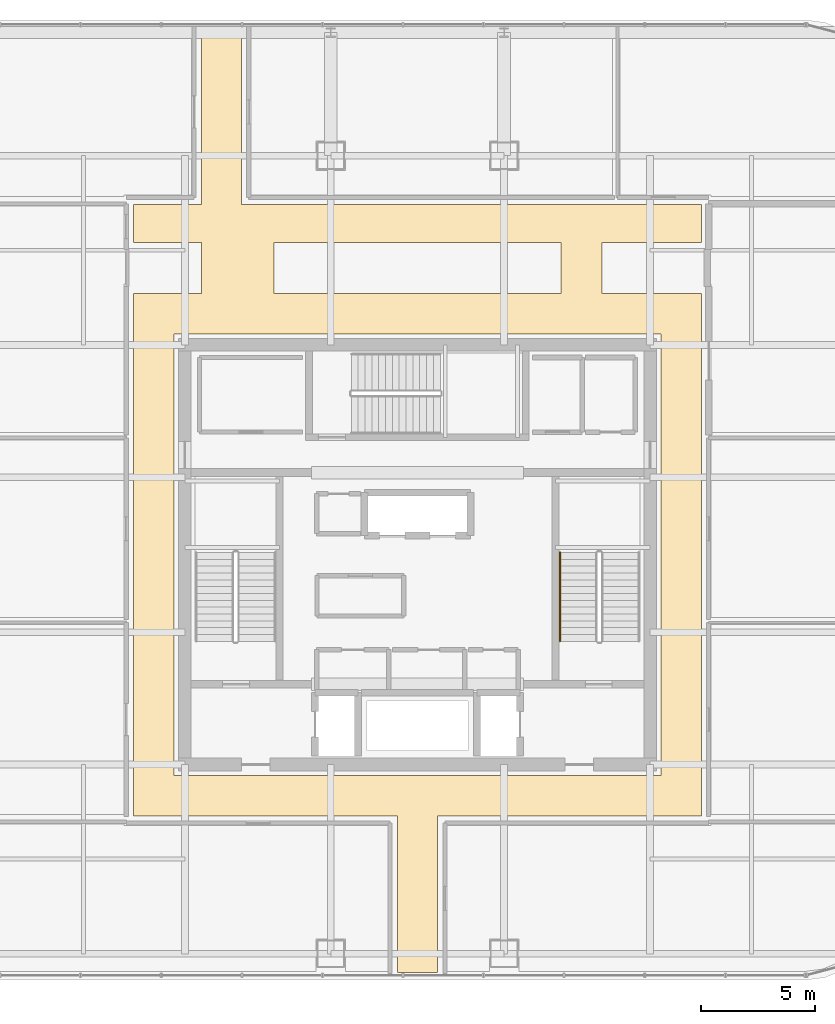
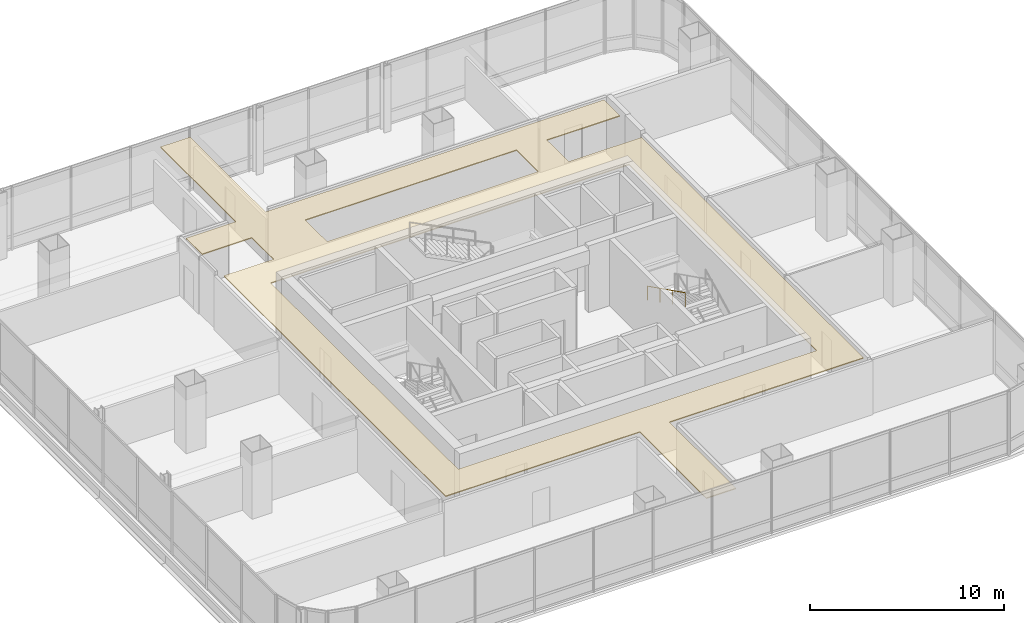
# One storey, part 39 of 41: 1 covering, 1 railing.
"""IFC4 building model written with IfcOpenShell, lengths in metres."""

from ifc_helpers import new_model, si_unit, direction, frame, origin, origin_2d, place, context, subcontext, project, spatial, polyline, circle, outline, extrude, material, layer, layer_set, type_object, element, save


model = new_model("IFC4")

# Units and contexts
model_context = context("Model", 3, precision=1e-05, world=origin(), true_north=direction((0.0, 1.0)))
body_context = subcontext(model_context, "Body", "Model", "MODEL_VIEW")
ifc_project = project(units=[si_unit("LENGTHUNIT", "METRE"), si_unit("AREAUNIT", "SQUARE_METRE"), si_unit("VOLUMEUNIT", "CUBIC_METRE"), si_unit("PLANEANGLEUNIT", "RADIAN"), si_unit("MASSUNIT", "GRAM", prefix="KILO")], contexts=[model_context])

# Site, building, storey
site_placement = place(None, origin())
site = spatial("IfcSite", under=ifc_project, at=site_placement, CompositionType="ELEMENT")
building_placement = place(site_placement, origin())
building = spatial("IfcBuilding", under=site, at=building_placement, Name="Punatoya Terracotta Tower", CompositionType="ELEMENT")
storey_placement = place(building_placement, frame((0.0, 0.0, 292.199951171875)))
storey = spatial("IfcBuildingStorey", under=building, at=storey_placement, Name="L69", CompositionType="ELEMENT", Elevation=292.199951171875)

# Covering
ifc_material_1 = material(Name="Acoustic Mineral Fibre Ceiling")
ifc_layer = layer(ifc_material_1, 0.06005859375)
ifc_layer_set = layer_set([ifc_layer], Name="Acoustic Mineral Fibre Ceiling")
covering_type = type_object("IfcCoveringType", Name="COV-CEIL-60", PredefinedType="CEILING", material=ifc_layer_set)
covering_placement = place(storey_placement, frame((0.0, 0.0, 3.39013671875)))
element("IfcCovering", 1, at=covering_placement, inside=storey, type_object=covering_type, Name="L69 Executive Circulation Corridor Acoustic Ceiling", PredefinedType="CEILING", context=body_context, shape_type="SweptSolid", body=[
    extrude(outline(polyline([(-0.8798828125, -11.449951171875), (-0.8798828125, -18.330078125), (0.8798828125, -18.330078125), (0.8798828125, -11.449951171875), (12.449951171875, -11.449951171875), (12.449951171875, 11.449951171875), (8.10009765625, 11.449951171875), (8.10009765625, 13.699951171875), (12.449951171875, 13.699951171875), (12.449951171875, 15.35009765625), (-7.719970703125, 15.35009765625), (-7.719970703125, 23.1298828125), (-9.47998046875, 23.1298828125), (-9.47998046875, 15.35009765625), (-12.449951171875, 15.35009765625), (-12.449951171875, 13.699951171875), (-9.47998046875, 13.699951171875), (-9.47998046875, 11.449951171875), (-12.449951171875, 11.449951171875), (-12.449951171875, -11.449951171875), (-0.8798828125, -11.449951171875)]), holes=[polyline([(10.679931640625, 9.679931640625), (10.679931640625, -9.679931640625), (-10.679931640625, -9.679931640625), (-10.679931640625, 9.679931640625), (10.679931640625, 9.679931640625)]), polyline([(6.300048828125, 11.449951171875), (-6.300048828125, 11.449951171875), (-6.300048828125, 13.699951171875), (6.300048828125, 13.699951171875), (6.300048828125, 11.449951171875)])]), origin(), (0.0, 0.0, 1.0), 0.059814453125),
])

# Railing
ifc_material_2 = material(Name="Steel S355", Category="steel")
railing_type = type_object("IfcRailingType", Name="RLG-HND-900", PredefinedType="HANDRAIL", material=ifc_material_2)
railing_placement = place(storey_placement, frame((6.25, 0.10009765625, 2.25)))
element("IfcRailing", 2, at=railing_placement, inside=storey, type_object=railing_type, Name="L69 ST-2 stair handrail 2", PredefinedType="HANDRAIL", context=body_context, shape_type="SweptSolid", body=[
    extrude(circle(Radius=0.02392578125, at=origin_2d()), frame((0.0, 0.0, 0.8759765625), z_axis=(0.0, -0.894438388696, 0.447191199406), x_axis=(1.0, 0.0, 0.0)), (0.0, 0.0, 1.0), 4.3603515625),
    extrude(circle(Radius=0.02099609375, at=origin_2d()), origin(), (0.0, 0.0, 1.0), 0.851806640625),
    extrude(circle(Radius=0.02099609375, at=origin_2d()), frame((0.0, -1.300048828125, 0.64990234375)), (0.0, 0.0, 1.0), 0.851806640625),
    extrude(circle(Radius=0.02099609375, at=origin_2d()), frame((0.0, -2.60009765625, 1.300048828125)), (0.0, 0.0, 1.0), 0.851806640625),
    extrude(circle(Radius=0.02099609375, at=origin_2d()), frame((0.0, -3.900146484375, 1.949951171875)), (0.0, 0.0, 1.0), 0.851806640625),
])

save(model, "model.ifc")
